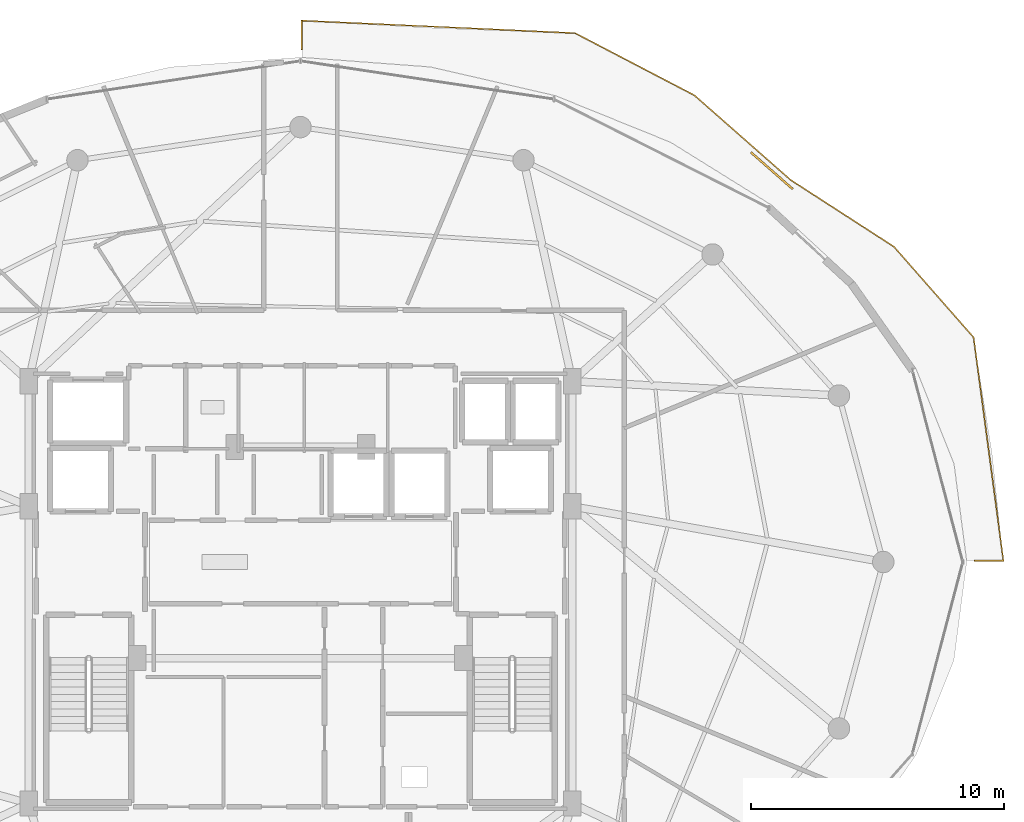
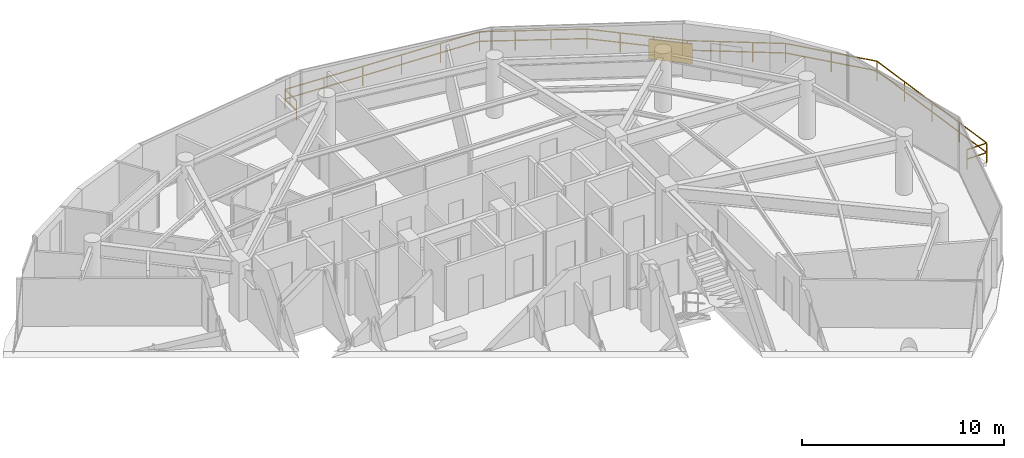
# One storey, part 30 of 31: 2 railings, 1 shading device.
"""IFC4 building model written with IfcOpenShell, lengths in metres."""

from ifc_helpers import new_model, si_unit, direction, frame, origin, origin_2d, place, context, subcontext, project, spatial, rectangle, extrude, material, type_object, element, save


model = new_model("IFC4")

# Units and contexts
model_context = context("Model", 3, precision=1e-05, world=origin(), true_north=direction((0.0, 1.0)))
body_context = subcontext(model_context, "Body", "Model", "MODEL_VIEW")
ifc_project = project(units=[si_unit("LENGTHUNIT", "METRE"), si_unit("AREAUNIT", "SQUARE_METRE"), si_unit("VOLUMEUNIT", "CUBIC_METRE"), si_unit("PLANEANGLEUNIT", "RADIAN"), si_unit("MASSUNIT", "GRAM", prefix="KILO")], contexts=[model_context])

# Site, building, storey
site_placement = place(None, origin())
site = spatial("IfcSite", under=ifc_project, at=site_placement, CompositionType="ELEMENT")
building_placement = place(site_placement, origin())
building = spatial("IfcBuilding", under=site, at=building_placement, Name="Vorneva Point Tower", CompositionType="ELEMENT")
storey_placement = place(building_placement, frame((0.0, 0.0, 248.449951171875)))
storey = spatial("IfcBuildingStorey", under=building, at=storey_placement, Name="L67", CompositionType="ELEMENT", Elevation=248.449951171875)

# Railings
ifc_material = material(Name="Pale anodised aluminium", Category="aluminium")
railing_type = type_object("IfcRailingType", Name="RL-BAL-1200", PredefinedType="BALUSTRADE", material=ifc_material)
railing_1_placement = place(storey_placement, frame((38.050048828125, 47.412353515625, 0.0)))
element("IfcRailing", 1, at=railing_1_placement, inside=storey, type_object=railing_type, Name="L67 Wave Balcony Balustrade NE.1", PredefinedType="BALUSTRADE", context=body_context, shape_type="SweptSolid", body=[
    extrude(rectangle(XDim=0.048095703125, YDim=0.048095703125, at=origin_2d()), frame((0.0, 0.0, 1.17578125), z_axis=(0.0, -1.0, 0.0), x_axis=(1.0, 0.0, 0.0)), (0.0, 0.0, 1.0), 1.13525390625),
    extrude(rectangle(XDim=0.048095703125, YDim=0.048095703125, at=origin_2d()), frame((0.0, 0.0, 0.60009765625), z_axis=(0.0, -1.0, 0.0), x_axis=(1.0, 0.0, 0.0)), (0.0, 0.0, 1.0), 1.13525390625),
    extrude(rectangle(XDim=0.0419921875, YDim=0.0419921875, at=origin_2d()), origin(), (0.0, 0.0, 1.0), 1.15185546875),
    extrude(rectangle(XDim=0.0419921875, YDim=0.0419921875, at=origin_2d()), frame((0.0, -1.13525390625, 0.0)), (0.0, 0.0, 1.0), 1.15185546875),
])
railing_2_placement = place(storey_placement, frame((64.666259765625, 26.050048828125, 0.0)))
element("IfcRailing", 2, at=railing_2_placement, inside=storey, type_object=railing_type, Name="L67 Wave Balcony Balustrade NE.2", PredefinedType="BALUSTRADE", context=body_context, shape_type="SweptSolid", body=[
    extrude(rectangle(XDim=0.048095703125, YDim=0.048095703125, at=origin_2d()), frame((0.0, 0.0, 1.17578125), z_axis=(1.0, 0.0, 0.0), x_axis=(0.0, 1.0, 0.0)), (0.0, 0.0, 1.0), 1.133544921875),
    extrude(rectangle(XDim=0.048095703125, YDim=0.048095703125, at=origin_2d()), frame((0.0, 0.0, 0.60009765625), z_axis=(1.0, 0.0, 0.0), x_axis=(0.0, 1.0, 0.0)), (0.0, 0.0, 1.0), 1.133544921875),
    extrude(rectangle(XDim=0.048095703125, YDim=0.048095703125, at=origin_2d()), frame((1.133544921875, 0.0, 1.17578125), z_axis=(-0.132091946116, 0.991237467901, 0.0), x_axis=(-0.991237467901, -0.132091946116, 0.0)), (0.0, 0.0, 1.0), 8.912353515625),
    extrude(rectangle(XDim=0.048095703125, YDim=0.048095703125, at=origin_2d()), frame((1.133544921875, 0.0, 0.60009765625), z_axis=(-0.132091946116, 0.991237467901, 0.0), x_axis=(-0.991237467901, -0.132091946116, 0.0)), (0.0, 0.0, 1.0), 8.912353515625),
    extrude(rectangle(XDim=0.048095703125, YDim=0.048095703125, at=origin_2d()), frame((-0.043701171875, 8.834228515625, 1.17578125), z_axis=(-0.659854728007, 0.751393197951, 0.0), x_axis=(-0.751393197951, -0.659854728007, 0.0)), (0.0, 0.0, 1.0), 4.771484375),
    extrude(rectangle(XDim=0.048095703125, YDim=0.048095703125, at=origin_2d()), frame((-0.043701171875, 8.834228515625, 0.60009765625), z_axis=(-0.659854728007, 0.751393197951, 0.0), x_axis=(-0.751393197951, -0.659854728007, 0.0)), (0.0, 0.0, 1.0), 4.771484375),
    extrude(rectangle(XDim=0.048095703125, YDim=0.048095703125, at=origin_2d()), frame((-3.192138671875, 12.41943359375, 1.17578125), z_axis=(-0.839922649831, 0.542706128859, 0.0), x_axis=(-0.542706128859, -0.839922649831, 0.0)), (0.0, 0.0, 1.0), 4.8662109375),
    extrude(rectangle(XDim=0.048095703125, YDim=0.048095703125, at=origin_2d()), frame((-3.192138671875, 12.41943359375, 0.60009765625), z_axis=(-0.839922649831, 0.542706128859, 0.0), x_axis=(-0.542706128859, -0.839922649831, 0.0)), (0.0, 0.0, 1.0), 4.8662109375),
    extrude(rectangle(XDim=0.048095703125, YDim=0.048095703125, at=origin_2d()), frame((-7.279296875, 15.060302734375, 1.17578125), z_axis=(-0.750846331225, 0.660476938951, 0.0), x_axis=(-0.660476938951, -0.750846331225, 0.0)), (0.0, 0.0, 1.0), 5.068115234375),
    extrude(rectangle(XDim=0.048095703125, YDim=0.048095703125, at=origin_2d()), frame((-7.279296875, 15.060302734375, 0.60009765625), z_axis=(-0.750846331225, 0.660476938951, 0.0), x_axis=(-0.660476938951, -0.750846331225, 0.0)), (0.0, 0.0, 1.0), 5.068115234375),
    extrude(rectangle(XDim=0.048095703125, YDim=0.048095703125, at=origin_2d()), frame((-11.084716796875, 18.40771484375, 1.17578125), z_axis=(-0.88676959211, 0.462211737744, 0.0), x_axis=(-0.462211737744, -0.88676959211, 0.0)), (0.0, 0.0, 1.0), 5.3232421875),
    extrude(rectangle(XDim=0.048095703125, YDim=0.048095703125, at=origin_2d()), frame((-11.084716796875, 18.40771484375, 0.60009765625), z_axis=(-0.88676959211, 0.462211737744, 0.0), x_axis=(-0.462211737744, -0.88676959211, 0.0)), (0.0, 0.0, 1.0), 5.3232421875),
    extrude(rectangle(XDim=0.048095703125, YDim=0.048095703125, at=origin_2d()), frame((-15.80517578125, 20.8681640625, 1.17578125), z_axis=(-0.998957066203, 0.045659389865, 0.0), x_axis=(-0.045659389865, -0.998957066203, 0.0)), (0.0, 0.0, 1.0), 10.822265625),
    extrude(rectangle(XDim=0.048095703125, YDim=0.048095703125, at=origin_2d()), frame((-15.80517578125, 20.8681640625, 0.60009765625), z_axis=(-0.998957066203, 0.045659389865, 0.0), x_axis=(-0.045659389865, -0.998957066203, 0.0)), (0.0, 0.0, 1.0), 10.822265625),
    extrude(rectangle(XDim=0.0419921875, YDim=0.0419921875, at=origin_2d()), origin(), (0.0, 0.0, 1.0), 1.15185546875),
    extrude(rectangle(XDim=0.0419921875, YDim=0.0419921875, at=origin_2d()), frame((1.133544921875, 0.0, 0.0)), (0.0, 0.0, 1.0), 1.15185546875),
    extrude(rectangle(XDim=0.0419921875, YDim=0.0419921875, at=origin_2d()), frame((0.83935546875, 2.20849609375, 0.0)), (0.0, 0.0, 1.0), 1.15185546875),
    extrude(rectangle(XDim=0.0419921875, YDim=0.0419921875, at=origin_2d()), frame((0.544921875, 4.4169921875, 0.0)), (0.0, 0.0, 1.0), 1.15185546875),
    extrude(rectangle(XDim=0.0419921875, YDim=0.0419921875, at=origin_2d()), frame((0.25048828125, 6.625732421875, 0.0)), (0.0, 0.0, 1.0), 1.15185546875),
    extrude(rectangle(XDim=0.0419921875, YDim=0.0419921875, at=origin_2d()), frame((-0.043701171875, 8.834228515625, 0.0)), (0.0, 0.0, 1.0), 1.15185546875),
    extrude(rectangle(XDim=0.0419921875, YDim=0.0419921875, at=origin_2d()), frame((-1.617919921875, 10.626953125, 0.0)), (0.0, 0.0, 1.0), 1.15185546875),
    extrude(rectangle(XDim=0.0419921875, YDim=0.0419921875, at=origin_2d()), frame((-3.192138671875, 12.41943359375, 0.0)), (0.0, 0.0, 1.0), 1.15185546875),
    extrude(rectangle(XDim=0.0419921875, YDim=0.0419921875, at=origin_2d()), frame((-4.554443359375, 13.2998046875, 0.0)), (0.0, 0.0, 1.0), 1.15185546875),
    extrude(rectangle(XDim=0.0419921875, YDim=0.0419921875, at=origin_2d()), frame((-5.9169921875, 14.179931640625, 0.0)), (0.0, 0.0, 1.0), 1.15185546875),
    extrude(rectangle(XDim=0.0419921875, YDim=0.0419921875, at=origin_2d()), frame((-7.279296875, 15.060302734375, 0.0)), (0.0, 0.0, 1.0), 1.15185546875),
    extrude(rectangle(XDim=0.0419921875, YDim=0.0419921875, at=origin_2d()), frame((-8.5478515625, 16.176025390625, 0.0)), (0.0, 0.0, 1.0), 1.15185546875),
    extrude(rectangle(XDim=0.0419921875, YDim=0.0419921875, at=origin_2d()), frame((-9.816162109375, 17.2919921875, 0.0)), (0.0, 0.0, 1.0), 1.15185546875),
    extrude(rectangle(XDim=0.0419921875, YDim=0.0419921875, at=origin_2d()), frame((-11.084716796875, 18.40771484375, 0.0)), (0.0, 0.0, 1.0), 1.15185546875),
    extrude(rectangle(XDim=0.0419921875, YDim=0.0419921875, at=origin_2d()), frame((-12.658203125, 19.227783203125, 0.0)), (0.0, 0.0, 1.0), 1.15185546875),
    extrude(rectangle(XDim=0.0419921875, YDim=0.0419921875, at=origin_2d()), frame((-14.231689453125, 20.048095703125, 0.0)), (0.0, 0.0, 1.0), 1.15185546875),
    extrude(rectangle(XDim=0.0419921875, YDim=0.0419921875, at=origin_2d()), frame((-15.80517578125, 20.8681640625, 0.0)), (0.0, 0.0, 1.0), 1.15185546875),
    extrude(rectangle(XDim=0.0419921875, YDim=0.0419921875, at=origin_2d()), frame((-17.96728515625, 20.967041015625, 0.0)), (0.0, 0.0, 1.0), 1.15185546875),
    extrude(rectangle(XDim=0.0419921875, YDim=0.0419921875, at=origin_2d()), frame((-20.129638671875, 21.06591796875, 0.0)), (0.0, 0.0, 1.0), 1.15185546875),
    extrude(rectangle(XDim=0.0419921875, YDim=0.0419921875, at=origin_2d()), frame((-22.291748046875, 21.16455078125, 0.0)), (0.0, 0.0, 1.0), 1.15185546875),
    extrude(rectangle(XDim=0.0419921875, YDim=0.0419921875, at=origin_2d()), frame((-24.4541015625, 21.263427734375, 0.0)), (0.0, 0.0, 1.0), 1.15185546875),
    extrude(rectangle(XDim=0.0419921875, YDim=0.0419921875, at=origin_2d()), frame((-26.6162109375, 21.3623046875, 0.0)), (0.0, 0.0, 1.0), 1.15185546875),
])

# Shading device
shading_device_type = type_object("IfcShadingDeviceType", Name="SHD-JAL-1200", PredefinedType="JALOUSIE", material=ifc_material)
shading_device_placement = place(storey_placement, frame((56.64404296875, 41.474365234375, -0.02001953125), z_axis=(0.0, 0.0, 1.0), x_axis=(-0.750837766406, 0.660486675519, 0.0)))
element("IfcShadingDevice", 3, at=shading_device_placement, inside=storey, type_object=shading_device_type, Name="L67 Balcony Vertical-Greenery Planter Screen NE.2", PredefinedType="JALOUSIE", context=body_context, shape_type="SweptSolid", body=[
    extrude(rectangle(XDim=2.199951171875, YDim=0.080078125, at=origin_2d()), origin(), (0.0, 0.0, 1.0), 1.199951171875),
])

save(model, "model.ifc")
